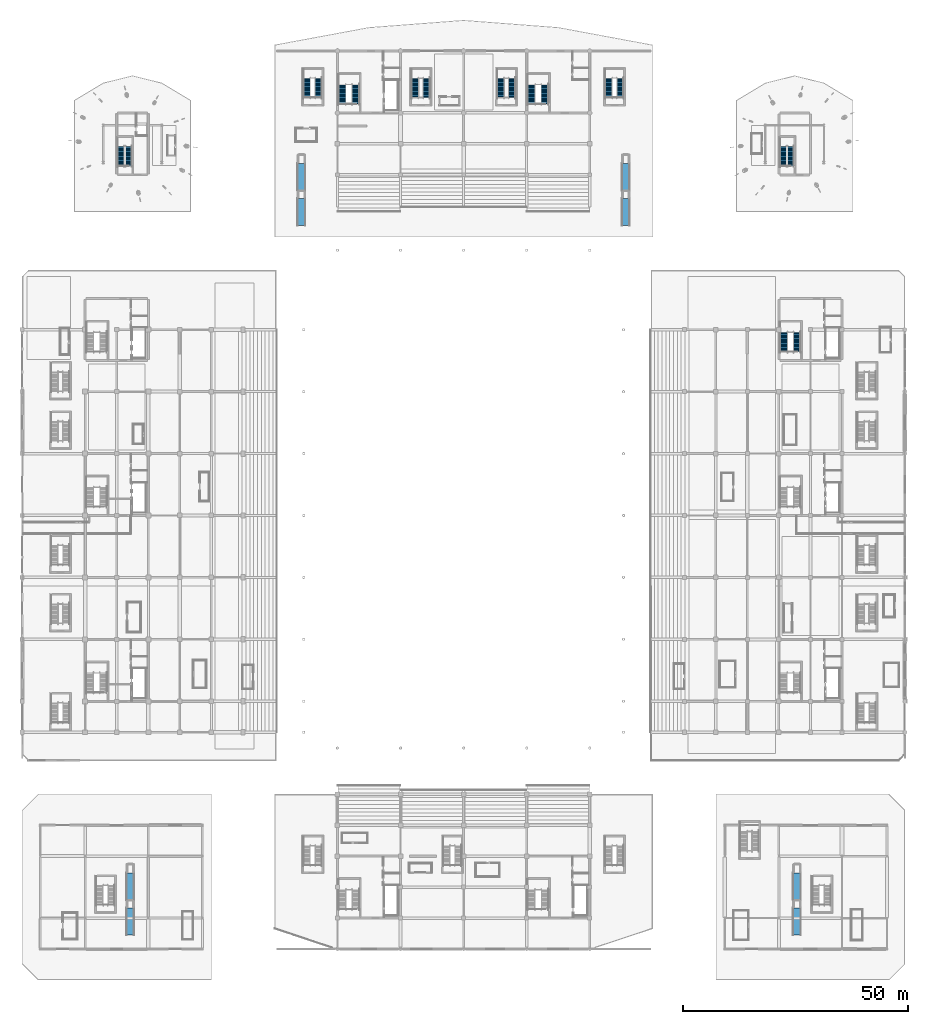
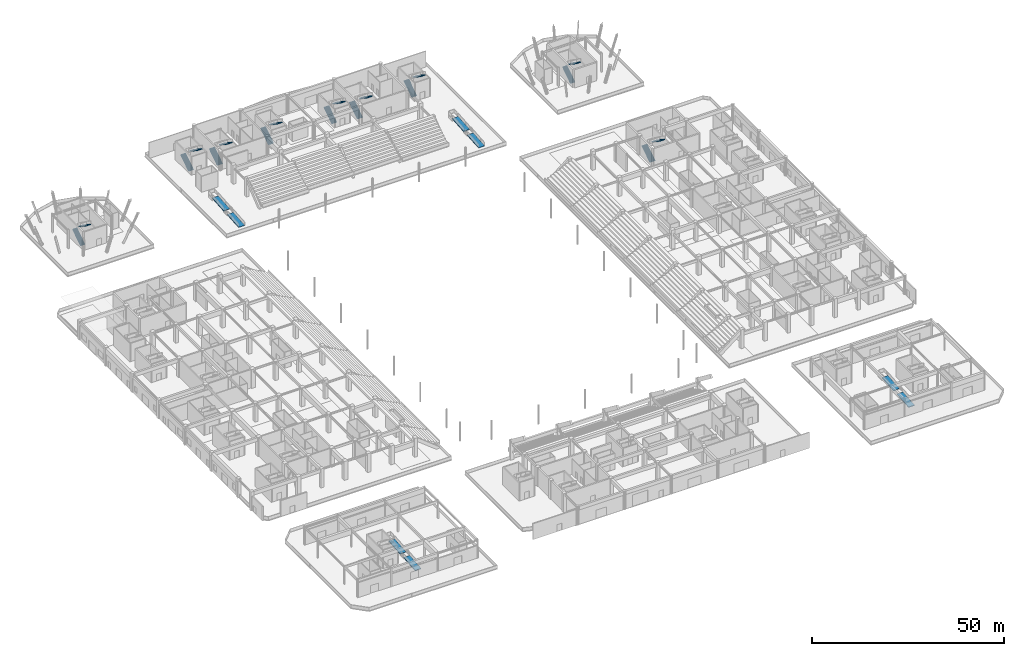
# One storey, part 56 of 73: 18 stair flights, 8 ramp flights, 13 elements without a shape of their own.
"""IFC4 building model written with IfcOpenShell, lengths in metres."""

import ifcopenshell
import ifcopenshell.guid

model = None  # the IFC model being written
_history = None  # IfcOwnerHistory: only IFC2X3 demands one
_inside = {}  # id of a spatial element -> (the spatial element, [elements in it])
_under = {}  # id of a project, library or spatial element -> (it, [spatial elements below it])
_declared = {}  # id of a project -> (the project, [libraries it declares])
_typed = {}  # id of a type object -> (the type object, [elements of that type])
_made_of = {}  # id of a material, layer set ... -> (it, [elements and type objects made of it])


def new_model(schema):
    """Start an empty IFC model of exactly this schema.

    Asked for "IFC4X3", IfcOpenShell would pick the latest addendum, in which some entities
    have other attributes; the version numbers below select the first issue.
    IFC2X3 requires an IfcOwnerHistory on every rooted entity: one is made here for all.
    """
    global model, _history
    if schema == "IFC4X3":
        model = ifcopenshell.file(schema_version=(4, 3, 0, 0))
    else:
        model = ifcopenshell.file(schema=schema)
    _inside.clear()
    _under.clear()
    _declared.clear()
    _typed.clear()
    _made_of.clear()
    _history = None
    if model.schema == "IFC2X3":
        org = make("IfcOrganization", Name="unknown")
        user = make(
            "IfcPersonAndOrganization",
            ThePerson=make("IfcPerson", FamilyName="unknown"),
            TheOrganization=org,
        )
        app = make(
            "IfcApplication",
            ApplicationDeveloper=org,
            Version="unknown",
            ApplicationFullName="unknown",
            ApplicationIdentifier="unknown",
        )
        _history = make(
            "IfcOwnerHistory",
            OwningUser=user,
            OwningApplication=app,
            ChangeAction="ADDED",
            CreationDate=0,
        )
    return model


def make(cls, **values):
    """One entity of the class cls with the attributes given. An attribute that is None is left unset."""
    return model.create_entity(
        cls, **{name: value for name, value in values.items() if value is not None}
    )


def rooted(cls, **values):
    """An entity with a GlobalId (a new one), such as an element, a storey or a relation."""
    return make(cls, GlobalId=ifcopenshell.guid.new(), OwnerHistory=_history, **values)


def si_unit(unit_type, name, prefix=None):
    """IfcSIUnit, for example si_unit("LENGTHUNIT", "METRE", prefix="MILLI")."""
    return make("IfcSIUnit", UnitType=unit_type, Prefix=prefix, Name=name)


def assignment(units):
    """IfcUnitAssignment: the units of a project."""
    return None if units is None else make("IfcUnitAssignment", Units=units)


def point(xyz):
    """IfcCartesianPoint."""
    return None if xyz is None else make("IfcCartesianPoint", Coordinates=xyz)


def direction(xyz):
    """IfcDirection."""
    return None if xyz is None else make("IfcDirection", DirectionRatios=xyz)


def frame(location, z_axis=None, x_axis=None):
    """IfcAxis2Placement3D, a coordinate frame: its origin and axes. An axis left out is left unset."""
    return make(
        "IfcAxis2Placement3D",
        Location=point(location),
        Axis=direction(z_axis),
        RefDirection=direction(x_axis),
    )


def origin():
    """The frame at (0, 0, 0) with its axes left unset."""
    return frame((0.0, 0.0, 0.0))


def place(relative_to, where):
    """IfcLocalPlacement: puts the frame where relative to a parent placement (None: the world)."""
    return make(
        "IfcLocalPlacement", PlacementRelTo=relative_to, RelativePlacement=where
    )


def context(
    kind, dimensions, precision=None, world=None, true_north=None, identifier=None
):
    """IfcGeometricRepresentationContext, for example the 3D "Model" context."""
    return make(
        "IfcGeometricRepresentationContext",
        ContextIdentifier=identifier,
        ContextType=kind,
        CoordinateSpaceDimension=dimensions,
        Precision=precision,
        WorldCoordinateSystem=world,
        TrueNorth=true_north,
    )


def subcontext(parent, identifier, kind, view, scale=None):
    """IfcGeometricRepresentationSubContext, for example "Body" below "Model"."""
    return make(
        "IfcGeometricRepresentationSubContext",
        ContextIdentifier=identifier,
        ContextType=kind,
        ParentContext=parent,
        TargetScale=scale,
        TargetView=view,
    )


def project(units=None, contexts=None):
    """IfcProject with its units and contexts."""
    return rooted(
        "IfcProject",
        Name="project",
        RepresentationContexts=contexts,
        UnitsInContext=assignment(units),
    )


def spatial(cls, under=None, at=None, **own):
    """A site, building, storey or space (cls), placed at a placement, below another one or the project."""
    s = rooted(cls, ObjectPlacement=at, **own)
    if under is not None:
        _under.setdefault(under.id(), (under, []))[1].append(s)
    return s


def polyline(points):
    """IfcPolyline through the points."""
    return make("IfcPolyline", Points=[point(p) for p in points])


def outline(outer, holes=None, kind="AREA"):
    """IfcArbitraryClosedProfileDef: a profile drawn as a closed curve; with holes, ...WithVoids."""
    if holes is None:
        return make("IfcArbitraryClosedProfileDef", ProfileType=kind, OuterCurve=outer)
    return make(
        "IfcArbitraryProfileDefWithVoids",
        ProfileType=kind,
        OuterCurve=outer,
        InnerCurves=holes,
    )


def extrude(swept, where, along, depth):
    """IfcExtrudedAreaSolid: the profile swept, set in the frame where, extruded along a direction by depth."""
    return make(
        "IfcExtrudedAreaSolid",
        SweptArea=swept,
        Position=where,
        ExtrudedDirection=direction(along),
        Depth=depth,
    )


def shape(context_of_items, identifier, shape_type, items):
    """IfcShapeRepresentation: the items that make up one representation, for example the "Body"."""
    return make(
        "IfcShapeRepresentation",
        ContextOfItems=context_of_items,
        RepresentationIdentifier=identifier,
        RepresentationType=shape_type,
        Items=items,
    )


def material(Name=None, Category=None):
    """IfcMaterial."""
    return make("IfcMaterial", Name=Name, Category=Category)


def layer(
    of_material, thickness, ventilated=None, Name=None, Category=None, Priority=None
):
    """IfcMaterialLayer: one layer of a wall or slab, of a material (None: an air gap)."""
    return make(
        "IfcMaterialLayer",
        Material=of_material,
        LayerThickness=thickness,
        IsVentilated=ventilated,
        Name=Name,
        Category=Category,
        Priority=Priority,
    )


def layer_set(layers, Name=None):
    """IfcMaterialLayerSet."""
    return make("IfcMaterialLayerSet", MaterialLayers=layers, LayerSetName=Name)


def made_of(thing, what):
    """Note that an element or type object is made of a material, layer set ...; save() writes the relation."""
    if what is not None:
        _made_of.setdefault(what.id(), (what, []))[1].append(thing)
    return thing


def type_object(cls, material=None, **own):
    """A type object (cls), such as IfcWallType, which elements share."""
    return made_of(rooted(cls, **own), material)


def element(
    cls,
    number,
    at=None,
    inside=None,
    cuts=None,
    type_object=None,
    material=None,
    context=None,
    identifier="Body",
    shape_type=None,
    held_by="IfcProductDefinitionShape",
    body=None,
    shapes=None,
    **own,
):
    """One element of the class cls, such as IfcWall. Its Tag is "e" and its number.

    at: its placement. inside: the storey or other place that contains it. cuts: it is an
    opening in that element (IfcRelVoidsElement). A single representation is given by context,
    identifier, shape_type and body (its items); several are given by shapes. held_by: the class
    of the entity that holds the representations. save() writes the other relations.
    """
    e = rooted(cls, Tag="e%d" % number, ObjectPlacement=at, **own)
    if body is not None:
        shapes = [shape(context, identifier, shape_type, body)]
    if shapes is not None:
        e.Representation = make(held_by, Representations=shapes)
    if inside is not None:
        _inside.setdefault(inside.id(), (inside, []))[1].append(e)
    if cuts is not None:
        rooted(
            "IfcRelVoidsElement", RelatingBuildingElement=cuts, RelatedOpeningElement=e
        )
    if type_object is not None:
        _typed.setdefault(type_object.id(), (type_object, []))[1].append(e)
    return made_of(e, material)


def aggregate(whole, parts):
    """IfcRelAggregates: a whole, such as a stair, and the parts it consists of."""
    return rooted("IfcRelAggregates", RelatingObject=whole, RelatedObjects=parts)


def save(model, path):
    """Write the relations noted so far, then the file.

    IfcRelAggregates (storeys below a building ...), IfcRelContainedInSpatialStructure (elements
    in a storey), IfcRelDefinesByType, IfcRelAssociatesMaterial and IfcRelDeclares: one each for
    every whole, place, type object, material and project.
    """
    for whole, parts in _under.values():
        aggregate(whole, parts)
    for where, things in _inside.values():
        rooted(
            "IfcRelContainedInSpatialStructure",
            RelatedElements=things,
            RelatingStructure=where,
        )
    for kind, things in _typed.values():
        rooted("IfcRelDefinesByType", RelatedObjects=things, RelatingType=kind)
    for what, things in _made_of.values():
        rooted("IfcRelAssociatesMaterial", RelatedObjects=things, RelatingMaterial=what)
    for by, libraries in _declared.values():
        rooted("IfcRelDeclares", RelatingContext=by, RelatedDefinitions=libraries)
    model.write(path)


model = new_model("IFC4")

# Units and contexts
model_context = context("Model", 3, precision=1e-05, world=origin(), true_north=direction((0.0, 1.0)))
body_context = subcontext(model_context, "Body", "Model", "MODEL_VIEW")
ifc_project = project(units=[si_unit("LENGTHUNIT", "METRE"), si_unit("AREAUNIT", "SQUARE_METRE"), si_unit("VOLUMEUNIT", "CUBIC_METRE"), si_unit("PLANEANGLEUNIT", "RADIAN"), si_unit("MASSUNIT", "GRAM", prefix="KILO")], contexts=[model_context])

# Site, building, storey
site_placement = place(None, origin())
site = spatial("IfcSite", under=ifc_project, at=site_placement, CompositionType="ELEMENT")
building_placement = place(site_placement, origin())
building = spatial("IfcBuilding", under=site, at=building_placement, Name="Linyun Crest Stadium", CompositionType="ELEMENT")
storey_placement = place(building_placement, origin())
storey = spatial("IfcBuildingStorey", under=building, at=storey_placement, Name="L01", CompositionType="ELEMENT", Elevation=0.0)

# Stair, stair flights
ifc_material_1 = material(Name="Concrete C40", Category="concrete")
stair_type = type_object("IfcStairType", Name="STA01", PredefinedType="HALF_TURN_STAIR", material=ifc_material_1)
stair_1_placement = place(storey_placement, origin())
stair_1 = element("IfcStair", 1, at=stair_1_placement, inside=storey, type_object=stair_type, Name="Evacuation stair STR-06-L01", PredefinedType="HALF_TURN_STAIR")
ifc_material_2 = material(Name="Concrete C40", Category="concrete")
stair_flight_type_1 = type_object("IfcStairFlightType", Name="STF01", PredefinedType="STRAIGHT", material=ifc_material_2)
stair_flight_1_placement = place(storey_placement, frame((71.090087890625, 38.489990234375, 0.0), z_axis=(0.0, 0.0, 1.0), x_axis=(0.0, 1.0, 0.0)))
stair_flight_1 = element("IfcStairFlight", 2, at=stair_flight_1_placement, type_object=stair_flight_type_1, Name="STR-06-L01 flight 1", NumberOfRisers=18, NumberOfTreads=17, PredefinedType="STRAIGHT", RiserHeight=0.166666667, TreadLength=0.25, context=body_context, shape_type="SweptSolid", body=[
    extrude(outline(polyline([(0.0, 0.0), (0.0, 0.166748046875), (0.25, 0.166748046875), (0.25, 0.333251953125), (0.5, 0.333251953125), (0.5, 0.5), (0.75, 0.5), (0.75, 0.666748046875), (1.0, 0.666748046875), (1.0, 0.833251953125), (1.25, 0.833251953125), (1.25, 1.0), (1.5, 1.0), (1.5, 1.166748046875), (1.75, 1.166748046875), (1.75, 1.333251953125), (2.0, 1.333251953125), (2.0, 1.5), (2.25, 1.5), (2.25, 1.666748046875), (2.5, 1.666748046875), (2.5, 1.833251953125), (2.75, 1.833251953125), (2.75, 2.0), (3.0, 2.0), (3.0, 2.166748046875), (3.25, 2.166748046875), (3.25, 2.333251953125), (3.5, 2.333251953125), (3.5, 2.5), (3.75, 2.5), (3.75, 2.666748046875), (4.0, 2.666748046875), (4.0, 2.833251953125), (4.25, 2.833251953125), (4.25, 3.0), (4.25, 2.6171875), (0.324462890625, 0.0), (0.0, 0.0)])), frame((0.0, 0.824951171875, 0.0), z_axis=(0.0, -1.0, 0.0), x_axis=(1.0, 0.0, 0.0)), (0.0, 0.0, 1.0), 1.64990234375),
])
stair_flight_2_placement = place(storey_placement, frame((74.034912109375, 42.739990234375, 3.0), z_axis=(0.0, 0.0, 1.0), x_axis=(0.0, -1.0, 0.0)))
stair_flight_2 = element("IfcStairFlight", 3, at=stair_flight_2_placement, type_object=stair_flight_type_1, Name="STR-06-L01 flight 2", NumberOfRisers=18, NumberOfTreads=17, PredefinedType="STRAIGHT", RiserHeight=0.166666667, TreadLength=0.25, context=body_context, shape_type="SweptSolid", body=[
    extrude(outline(polyline([(0.0, 0.0), (0.0, 0.166748046875), (0.25, 0.166748046875), (0.25, 0.333251953125), (0.5, 0.333251953125), (0.5, 0.5), (0.75, 0.5), (0.75, 0.666748046875), (1.0, 0.666748046875), (1.0, 0.833251953125), (1.25, 0.833251953125), (1.25, 1.0), (1.5, 1.0), (1.5, 1.166748046875), (1.75, 1.166748046875), (1.75, 1.333251953125), (2.0, 1.333251953125), (2.0, 1.5), (2.25, 1.5), (2.25, 1.666748046875), (2.5, 1.666748046875), (2.5, 1.833251953125), (2.75, 1.833251953125), (2.75, 2.0), (3.0, 2.0), (3.0, 2.166748046875), (3.25, 2.166748046875), (3.25, 2.333251953125), (3.5, 2.333251953125), (3.5, 2.5), (3.75, 2.5), (3.75, 2.666748046875), (4.0, 2.666748046875), (4.0, 2.833251953125), (4.25, 2.833251953125), (4.25, 3.0), (4.25, 2.6171875), (0.324462890625, 0.0), (0.0, 0.0)])), frame((0.0, 0.824951171875, 0.0), z_axis=(0.0, -1.0, 0.0), x_axis=(1.0, 0.0, 0.0)), (0.0, 0.0, 1.0), 1.64990234375),
])
aggregate(stair_1, [stair_flight_1, stair_flight_2])

stair_2_placement = place(storey_placement, origin())
stair_2 = element("IfcStair", 4, at=stair_2_placement, inside=storey, type_object=stair_type, Name="Evacuation stair STR-07-L01", PredefinedType="HALF_TURN_STAIR")
stair_flight_3_placement = place(storey_placement, frame((-26.9599609375, 93.489990234375, 0.0), z_axis=(0.0, 0.0, 1.0), x_axis=(0.0, 1.0, 0.0)))
stair_flight_3 = element("IfcStairFlight", 5, at=stair_flight_3_placement, type_object=stair_flight_type_1, Name="STR-07-L01 flight 1", NumberOfRisers=18, NumberOfTreads=17, PredefinedType="STRAIGHT", RiserHeight=0.166666667, TreadLength=0.25, context=body_context, shape_type="SweptSolid", body=[
    extrude(outline(polyline([(0.0, 0.0), (0.0, 0.166748046875), (0.25, 0.166748046875), (0.25, 0.333251953125), (0.5, 0.333251953125), (0.5, 0.5), (0.75, 0.5), (0.75, 0.666748046875), (1.0, 0.666748046875), (1.0, 0.833251953125), (1.25, 0.833251953125), (1.25, 1.0), (1.5, 1.0), (1.5, 1.166748046875), (1.75, 1.166748046875), (1.75, 1.333251953125), (2.0, 1.333251953125), (2.0, 1.5), (2.25, 1.5), (2.25, 1.666748046875), (2.5, 1.666748046875), (2.5, 1.833251953125), (2.75, 1.833251953125), (2.75, 2.0), (3.0, 2.0), (3.0, 2.166748046875), (3.25, 2.166748046875), (3.25, 2.333251953125), (3.5, 2.333251953125), (3.5, 2.5), (3.75, 2.5), (3.75, 2.666748046875), (4.0, 2.666748046875), (4.0, 2.833251953125), (4.25, 2.833251953125), (4.25, 3.0), (4.25, 2.6171875), (0.324462890625, 0.0), (0.0, 0.0)])), frame((0.0, 0.824951171875, 0.0), z_axis=(0.0, -1.0, 0.0), x_axis=(1.0, 0.0, 0.0)), (0.0, 0.0, 1.0), 1.64990234375),
])
stair_flight_4_placement = place(storey_placement, frame((-23.965087890625, 97.739990234375, 3.0), z_axis=(0.0, 0.0, 1.0), x_axis=(0.0, -1.0, 0.0)))
stair_flight_4 = element("IfcStairFlight", 6, at=stair_flight_4_placement, type_object=stair_flight_type_1, Name="STR-07-L01 flight 2", NumberOfRisers=18, NumberOfTreads=17, PredefinedType="STRAIGHT", RiserHeight=0.166666667, TreadLength=0.25, context=body_context, shape_type="SweptSolid", body=[
    extrude(outline(polyline([(0.0, 0.0), (0.0, 0.166748046875), (0.25, 0.166748046875), (0.25, 0.333251953125), (0.5, 0.333251953125), (0.5, 0.5), (0.75, 0.5), (0.75, 0.666748046875), (1.0, 0.666748046875), (1.0, 0.833251953125), (1.25, 0.833251953125), (1.25, 1.0), (1.5, 1.0), (1.5, 1.166748046875), (1.75, 1.166748046875), (1.75, 1.333251953125), (2.0, 1.333251953125), (2.0, 1.5), (2.25, 1.5), (2.25, 1.666748046875), (2.5, 1.666748046875), (2.5, 1.833251953125), (2.75, 1.833251953125), (2.75, 2.0), (3.0, 2.0), (3.0, 2.166748046875), (3.25, 2.166748046875), (3.25, 2.333251953125), (3.5, 2.333251953125), (3.5, 2.5), (3.75, 2.5), (3.75, 2.666748046875), (4.0, 2.666748046875), (4.0, 2.833251953125), (4.25, 2.833251953125), (4.25, 3.0), (4.25, 2.6171875), (0.324462890625, 0.0), (0.0, 0.0)])), frame((0.0, 0.824951171875, 0.0), z_axis=(0.0, -1.0, 0.0), x_axis=(1.0, 0.0, 0.0)), (0.0, 0.0, 1.0), 1.64990234375),
])
aggregate(stair_2, [stair_flight_3, stair_flight_4])

stair_3_placement = place(storey_placement, origin())
stair_3 = element("IfcStair", 7, at=stair_3_placement, inside=storey, type_object=stair_type, Name="Evacuation stair STR-08-L01", PredefinedType="HALF_TURN_STAIR")
stair_flight_5_placement = place(storey_placement, frame((15.06494140625, 93.489990234375, 0.0), z_axis=(0.0, 0.0, 1.0), x_axis=(0.0, 1.0, 0.0)))
stair_flight_5 = element("IfcStairFlight", 8, at=stair_flight_5_placement, type_object=stair_flight_type_1, Name="STR-08-L01 flight 1", NumberOfRisers=18, NumberOfTreads=17, PredefinedType="STRAIGHT", RiserHeight=0.166666667, TreadLength=0.25, context=body_context, shape_type="SweptSolid", body=[
    extrude(outline(polyline([(0.0, 0.0), (0.0, 0.166748046875), (0.25, 0.166748046875), (0.25, 0.333251953125), (0.5, 0.333251953125), (0.5, 0.5), (0.75, 0.5), (0.75, 0.666748046875), (1.0, 0.666748046875), (1.0, 0.833251953125), (1.25, 0.833251953125), (1.25, 1.0), (1.5, 1.0), (1.5, 1.166748046875), (1.75, 1.166748046875), (1.75, 1.333251953125), (2.0, 1.333251953125), (2.0, 1.5), (2.25, 1.5), (2.25, 1.666748046875), (2.5, 1.666748046875), (2.5, 1.833251953125), (2.75, 1.833251953125), (2.75, 2.0), (3.0, 2.0), (3.0, 2.166748046875), (3.25, 2.166748046875), (3.25, 2.333251953125), (3.5, 2.333251953125), (3.5, 2.5), (3.75, 2.5), (3.75, 2.666748046875), (4.0, 2.666748046875), (4.0, 2.833251953125), (4.25, 2.833251953125), (4.25, 3.0), (4.25, 2.6171875), (0.324462890625, 0.0), (0.0, 0.0)])), frame((0.0, 0.824951171875, 0.0), z_axis=(0.0, -1.0, 0.0), x_axis=(1.0, 0.0, 0.0)), (0.0, 0.0, 1.0), 1.64990234375),
])
stair_flight_6_placement = place(storey_placement, frame((18.034912109375, 97.739990234375, 3.0), z_axis=(0.0, 0.0, 1.0), x_axis=(0.0, -1.0, 0.0)))
stair_flight_6 = element("IfcStairFlight", 9, at=stair_flight_6_placement, type_object=stair_flight_type_1, Name="STR-08-L01 flight 2", NumberOfRisers=18, NumberOfTreads=17, PredefinedType="STRAIGHT", RiserHeight=0.166666667, TreadLength=0.25, context=body_context, shape_type="SweptSolid", body=[
    extrude(outline(polyline([(0.0, 0.0), (0.0, 0.166748046875), (0.25, 0.166748046875), (0.25, 0.333251953125), (0.5, 0.333251953125), (0.5, 0.5), (0.75, 0.5), (0.75, 0.666748046875), (1.0, 0.666748046875), (1.0, 0.833251953125), (1.25, 0.833251953125), (1.25, 1.0), (1.5, 1.0), (1.5, 1.166748046875), (1.75, 1.166748046875), (1.75, 1.333251953125), (2.0, 1.333251953125), (2.0, 1.5), (2.25, 1.5), (2.25, 1.666748046875), (2.5, 1.666748046875), (2.5, 1.833251953125), (2.75, 1.833251953125), (2.75, 2.0), (3.0, 2.0), (3.0, 2.166748046875), (3.25, 2.166748046875), (3.25, 2.333251953125), (3.5, 2.333251953125), (3.5, 2.5), (3.75, 2.5), (3.75, 2.666748046875), (4.0, 2.666748046875), (4.0, 2.833251953125), (4.25, 2.833251953125), (4.25, 3.0), (4.25, 2.6171875), (0.324462890625, 0.0), (0.0, 0.0)])), frame((0.0, 0.824951171875, 0.0), z_axis=(0.0, -1.0, 0.0), x_axis=(1.0, 0.0, 0.0)), (0.0, 0.0, 1.0), 1.64990234375),
])
aggregate(stair_3, [stair_flight_5, stair_flight_6])

stair_4_placement = place(storey_placement, origin())
stair_4 = element("IfcStair", 10, at=stair_4_placement, inside=storey, type_object=stair_type, Name="Vomitory evacuation stair STR-23-L01", PredefinedType="HALF_TURN_STAIR")
ifc_material_3 = material(Name="Concrete C40", Category="concrete")
stair_flight_type_2 = type_object("IfcStairFlightType", Name="STF02", PredefinedType="STRAIGHT", material=ifc_material_3)
stair_flight_7_placement = place(storey_placement, frame((-34.784912109375, 94.919921875, 0.0), z_axis=(0.0, 0.0, 1.0), x_axis=(0.0, 1.0, 0.0)))
stair_flight_7 = element("IfcStairFlight", 11, at=stair_flight_7_placement, type_object=stair_flight_type_2, Name="STR-23-L01 flight 1", NumberOfRisers=18, NumberOfTreads=17, PredefinedType="STRAIGHT", RiserHeight=0.166666667, TreadLength=0.25, context=body_context, shape_type="SweptSolid", body=[
    extrude(outline(polyline([(0.0, 0.0), (0.0, 0.166748046875), (0.25, 0.166748046875), (0.25, 0.333251953125), (0.5, 0.333251953125), (0.5, 0.5), (0.75, 0.5), (0.75, 0.666748046875), (1.0, 0.666748046875), (1.0, 0.833251953125), (1.25, 0.833251953125), (1.25, 1.0), (1.5, 1.0), (1.5, 1.166748046875), (1.75, 1.166748046875), (1.75, 1.333251953125), (2.0, 1.333251953125), (2.0, 1.5), (2.25, 1.5), (2.25, 1.666748046875), (2.5, 1.666748046875), (2.5, 1.833251953125), (2.75, 1.833251953125), (2.75, 2.0), (3.0, 2.0), (3.0, 2.166748046875), (3.25, 2.166748046875), (3.25, 2.333251953125), (3.5, 2.333251953125), (3.5, 2.5), (3.75, 2.5), (3.75, 2.666748046875), (4.0, 2.666748046875), (4.0, 2.833251953125), (4.25, 2.833251953125), (4.25, 3.0), (4.25, 2.6171875), (0.324462890625, 0.0), (0.0, 0.0)])), frame((0.0, 0.77490234375, 0.0), z_axis=(0.0, -1.0, 0.0), x_axis=(1.0, 0.0, 0.0)), (0.0, 0.0, 1.0), 1.550048828125),
])
stair_flight_8_placement = place(storey_placement, frame((-32.215087890625, 99.169921875, 3.0), z_axis=(0.0, 0.0, 1.0), x_axis=(0.0, -1.0, 0.0)))
stair_flight_8 = element("IfcStairFlight", 12, at=stair_flight_8_placement, type_object=stair_flight_type_2, Name="STR-23-L01 flight 2", NumberOfRisers=18, NumberOfTreads=17, PredefinedType="STRAIGHT", RiserHeight=0.166666667, TreadLength=0.25, context=body_context, shape_type="SweptSolid", body=[
    extrude(outline(polyline([(0.0, 0.0), (0.0, 0.166748046875), (0.25, 0.166748046875), (0.25, 0.333251953125), (0.5, 0.333251953125), (0.5, 0.5), (0.75, 0.5), (0.75, 0.666748046875), (1.0, 0.666748046875), (1.0, 0.833251953125), (1.25, 0.833251953125), (1.25, 1.0), (1.5, 1.0), (1.5, 1.166748046875), (1.75, 1.166748046875), (1.75, 1.333251953125), (2.0, 1.333251953125), (2.0, 1.5), (2.25, 1.5), (2.25, 1.666748046875), (2.5, 1.666748046875), (2.5, 1.833251953125), (2.75, 1.833251953125), (2.75, 2.0), (3.0, 2.0), (3.0, 2.166748046875), (3.25, 2.166748046875), (3.25, 2.333251953125), (3.5, 2.333251953125), (3.5, 2.5), (3.75, 2.5), (3.75, 2.666748046875), (4.0, 2.666748046875), (4.0, 2.833251953125), (4.25, 2.833251953125), (4.25, 3.0), (4.25, 2.6171875), (0.324462890625, 0.0), (0.0, 0.0)])), frame((0.0, 0.77490234375, 0.0), z_axis=(0.0, -1.0, 0.0), x_axis=(1.0, 0.0, 0.0)), (0.0, 0.0, 1.0), 1.550048828125),
])
aggregate(stair_4, [stair_flight_7, stair_flight_8])

stair_5_placement = place(storey_placement, origin())
stair_5 = element("IfcStair", 13, at=stair_5_placement, inside=storey, type_object=stair_type, Name="Vomitory evacuation stair STR-24-L01", PredefinedType="HALF_TURN_STAIR")
stair_flight_9_placement = place(storey_placement, frame((-10.784912109375, 94.919921875, 0.0), z_axis=(0.0, 0.0, 1.0), x_axis=(0.0, 1.0, 0.0)))
stair_flight_9 = element("IfcStairFlight", 14, at=stair_flight_9_placement, type_object=stair_flight_type_2, Name="STR-24-L01 flight 1", NumberOfRisers=18, NumberOfTreads=17, PredefinedType="STRAIGHT", RiserHeight=0.166666667, TreadLength=0.25, context=body_context, shape_type="SweptSolid", body=[
    extrude(outline(polyline([(0.0, 0.0), (0.0, 0.166748046875), (0.25, 0.166748046875), (0.25, 0.333251953125), (0.5, 0.333251953125), (0.5, 0.5), (0.75, 0.5), (0.75, 0.666748046875), (1.0, 0.666748046875), (1.0, 0.833251953125), (1.25, 0.833251953125), (1.25, 1.0), (1.5, 1.0), (1.5, 1.166748046875), (1.75, 1.166748046875), (1.75, 1.333251953125), (2.0, 1.333251953125), (2.0, 1.5), (2.25, 1.5), (2.25, 1.666748046875), (2.5, 1.666748046875), (2.5, 1.833251953125), (2.75, 1.833251953125), (2.75, 2.0), (3.0, 2.0), (3.0, 2.166748046875), (3.25, 2.166748046875), (3.25, 2.333251953125), (3.5, 2.333251953125), (3.5, 2.5), (3.75, 2.5), (3.75, 2.666748046875), (4.0, 2.666748046875), (4.0, 2.833251953125), (4.25, 2.833251953125), (4.25, 3.0), (4.25, 2.6171875), (0.324462890625, 0.0), (0.0, 0.0)])), frame((0.0, 0.77490234375, 0.0), z_axis=(0.0, -1.0, 0.0), x_axis=(1.0, 0.0, 0.0)), (0.0, 0.0, 1.0), 1.550048828125),
])
stair_flight_10_placement = place(storey_placement, frame((-8.215087890625, 99.169921875, 3.0), z_axis=(0.0, 0.0, 1.0), x_axis=(0.0, -1.0, 0.0)))
stair_flight_10 = element("IfcStairFlight", 15, at=stair_flight_10_placement, type_object=stair_flight_type_2, Name="STR-24-L01 flight 2", NumberOfRisers=18, NumberOfTreads=17, PredefinedType="STRAIGHT", RiserHeight=0.166666667, TreadLength=0.25, context=body_context, shape_type="SweptSolid", body=[
    extrude(outline(polyline([(0.0, 0.0), (0.0, 0.166748046875), (0.25, 0.166748046875), (0.25, 0.333251953125), (0.5, 0.333251953125), (0.5, 0.5), (0.75, 0.5), (0.75, 0.666748046875), (1.0, 0.666748046875), (1.0, 0.833251953125), (1.25, 0.833251953125), (1.25, 1.0), (1.5, 1.0), (1.5, 1.166748046875), (1.75, 1.166748046875), (1.75, 1.333251953125), (2.0, 1.333251953125), (2.0, 1.5), (2.25, 1.5), (2.25, 1.666748046875), (2.5, 1.666748046875), (2.5, 1.833251953125), (2.75, 1.833251953125), (2.75, 2.0), (3.0, 2.0), (3.0, 2.166748046875), (3.25, 2.166748046875), (3.25, 2.333251953125), (3.5, 2.333251953125), (3.5, 2.5), (3.75, 2.5), (3.75, 2.666748046875), (4.0, 2.666748046875), (4.0, 2.833251953125), (4.25, 2.833251953125), (4.25, 3.0), (4.25, 2.6171875), (0.324462890625, 0.0), (0.0, 0.0)])), frame((0.0, 0.77490234375, 0.0), z_axis=(0.0, -1.0, 0.0), x_axis=(1.0, 0.0, 0.0)), (0.0, 0.0, 1.0), 1.550048828125),
])
aggregate(stair_5, [stair_flight_9, stair_flight_10])

stair_6_placement = place(storey_placement, origin())
stair_6 = element("IfcStair", 16, at=stair_6_placement, inside=storey, type_object=stair_type, Name="Vomitory evacuation stair STR-25-L01", PredefinedType="HALF_TURN_STAIR")
stair_flight_11_placement = place(storey_placement, frame((8.215087890625, 94.919921875, 0.0), z_axis=(0.0, 0.0, 1.0), x_axis=(0.0, 1.0, 0.0)))
stair_flight_11 = element("IfcStairFlight", 17, at=stair_flight_11_placement, type_object=stair_flight_type_2, Name="STR-25-L01 flight 1", NumberOfRisers=18, NumberOfTreads=17, PredefinedType="STRAIGHT", RiserHeight=0.166666667, TreadLength=0.25, context=body_context, shape_type="SweptSolid", body=[
    extrude(outline(polyline([(0.0, 0.0), (0.0, 0.166748046875), (0.25, 0.166748046875), (0.25, 0.333251953125), (0.5, 0.333251953125), (0.5, 0.5), (0.75, 0.5), (0.75, 0.666748046875), (1.0, 0.666748046875), (1.0, 0.833251953125), (1.25, 0.833251953125), (1.25, 1.0), (1.5, 1.0), (1.5, 1.166748046875), (1.75, 1.166748046875), (1.75, 1.333251953125), (2.0, 1.333251953125), (2.0, 1.5), (2.25, 1.5), (2.25, 1.666748046875), (2.5, 1.666748046875), (2.5, 1.833251953125), (2.75, 1.833251953125), (2.75, 2.0), (3.0, 2.0), (3.0, 2.166748046875), (3.25, 2.166748046875), (3.25, 2.333251953125), (3.5, 2.333251953125), (3.5, 2.5), (3.75, 2.5), (3.75, 2.666748046875), (4.0, 2.666748046875), (4.0, 2.833251953125), (4.25, 2.833251953125), (4.25, 3.0), (4.25, 2.6171875), (0.324462890625, 0.0), (0.0, 0.0)])), frame((0.0, 0.77490234375, 0.0), z_axis=(0.0, -1.0, 0.0), x_axis=(1.0, 0.0, 0.0)), (0.0, 0.0, 1.0), 1.550048828125),
])
stair_flight_12_placement = place(storey_placement, frame((10.784912109375, 99.169921875, 3.0), z_axis=(0.0, 0.0, 1.0), x_axis=(0.0, -1.0, 0.0)))
stair_flight_12 = element("IfcStairFlight", 18, at=stair_flight_12_placement, type_object=stair_flight_type_2, Name="STR-25-L01 flight 2", NumberOfRisers=18, NumberOfTreads=17, PredefinedType="STRAIGHT", RiserHeight=0.166666667, TreadLength=0.25, context=body_context, shape_type="SweptSolid", body=[
    extrude(outline(polyline([(0.0, 0.0), (0.0, 0.166748046875), (0.25, 0.166748046875), (0.25, 0.333251953125), (0.5, 0.333251953125), (0.5, 0.5), (0.75, 0.5), (0.75, 0.666748046875), (1.0, 0.666748046875), (1.0, 0.833251953125), (1.25, 0.833251953125), (1.25, 1.0), (1.5, 1.0), (1.5, 1.166748046875), (1.75, 1.166748046875), (1.75, 1.333251953125), (2.0, 1.333251953125), (2.0, 1.5), (2.25, 1.5), (2.25, 1.666748046875), (2.5, 1.666748046875), (2.5, 1.833251953125), (2.75, 1.833251953125), (2.75, 2.0), (3.0, 2.0), (3.0, 2.166748046875), (3.25, 2.166748046875), (3.25, 2.333251953125), (3.5, 2.333251953125), (3.5, 2.5), (3.75, 2.5), (3.75, 2.666748046875), (4.0, 2.666748046875), (4.0, 2.833251953125), (4.25, 2.833251953125), (4.25, 3.0), (4.25, 2.6171875), (0.324462890625, 0.0), (0.0, 0.0)])), frame((0.0, 0.77490234375, 0.0), z_axis=(0.0, -1.0, 0.0), x_axis=(1.0, 0.0, 0.0)), (0.0, 0.0, 1.0), 1.550048828125),
])
aggregate(stair_6, [stair_flight_11, stair_flight_12])

stair_7_placement = place(storey_placement, origin())
stair_7 = element("IfcStair", 19, at=stair_7_placement, inside=storey, type_object=stair_type, Name="Vomitory evacuation stair STR-26-L01", PredefinedType="HALF_TURN_STAIR")
stair_flight_13_placement = place(storey_placement, frame((32.215087890625, 94.919921875, 0.0), z_axis=(0.0, 0.0, 1.0), x_axis=(0.0, 1.0, 0.0)))
stair_flight_13 = element("IfcStairFlight", 20, at=stair_flight_13_placement, type_object=stair_flight_type_2, Name="STR-26-L01 flight 1", NumberOfRisers=18, NumberOfTreads=17, PredefinedType="STRAIGHT", RiserHeight=0.166666667, TreadLength=0.25, context=body_context, shape_type="SweptSolid", body=[
    extrude(outline(polyline([(0.0, 0.0), (0.0, 0.166748046875), (0.25, 0.166748046875), (0.25, 0.333251953125), (0.5, 0.333251953125), (0.5, 0.5), (0.75, 0.5), (0.75, 0.666748046875), (1.0, 0.666748046875), (1.0, 0.833251953125), (1.25, 0.833251953125), (1.25, 1.0), (1.5, 1.0), (1.5, 1.166748046875), (1.75, 1.166748046875), (1.75, 1.333251953125), (2.0, 1.333251953125), (2.0, 1.5), (2.25, 1.5), (2.25, 1.666748046875), (2.5, 1.666748046875), (2.5, 1.833251953125), (2.75, 1.833251953125), (2.75, 2.0), (3.0, 2.0), (3.0, 2.166748046875), (3.25, 2.166748046875), (3.25, 2.333251953125), (3.5, 2.333251953125), (3.5, 2.5), (3.75, 2.5), (3.75, 2.666748046875), (4.0, 2.666748046875), (4.0, 2.833251953125), (4.25, 2.833251953125), (4.25, 3.0), (4.25, 2.6171875), (0.324462890625, 0.0), (0.0, 0.0)])), frame((0.0, 0.77490234375, 0.0), z_axis=(0.0, -1.0, 0.0), x_axis=(1.0, 0.0, 0.0)), (0.0, 0.0, 1.0), 1.550048828125),
])
stair_flight_14_placement = place(storey_placement, frame((34.784912109375, 99.169921875, 3.0), z_axis=(0.0, 0.0, 1.0), x_axis=(0.0, -1.0, 0.0)))
stair_flight_14 = element("IfcStairFlight", 21, at=stair_flight_14_placement, type_object=stair_flight_type_2, Name="STR-26-L01 flight 2", NumberOfRisers=18, NumberOfTreads=17, PredefinedType="STRAIGHT", RiserHeight=0.166666667, TreadLength=0.25, context=body_context, shape_type="SweptSolid", body=[
    extrude(outline(polyline([(0.0, 0.0), (0.0, 0.166748046875), (0.25, 0.166748046875), (0.25, 0.333251953125), (0.5, 0.333251953125), (0.5, 0.5), (0.75, 0.5), (0.75, 0.666748046875), (1.0, 0.666748046875), (1.0, 0.833251953125), (1.25, 0.833251953125), (1.25, 1.0), (1.5, 1.0), (1.5, 1.166748046875), (1.75, 1.166748046875), (1.75, 1.333251953125), (2.0, 1.333251953125), (2.0, 1.5), (2.25, 1.5), (2.25, 1.666748046875), (2.5, 1.666748046875), (2.5, 1.833251953125), (2.75, 1.833251953125), (2.75, 2.0), (3.0, 2.0), (3.0, 2.166748046875), (3.25, 2.166748046875), (3.25, 2.333251953125), (3.5, 2.333251953125), (3.5, 2.5), (3.75, 2.5), (3.75, 2.666748046875), (4.0, 2.666748046875), (4.0, 2.833251953125), (4.25, 2.833251953125), (4.25, 3.0), (4.25, 2.6171875), (0.324462890625, 0.0), (0.0, 0.0)])), frame((0.0, 0.77490234375, 0.0), z_axis=(0.0, -1.0, 0.0), x_axis=(1.0, 0.0, 0.0)), (0.0, 0.0, 1.0), 1.550048828125),
])
aggregate(stair_7, [stair_flight_13, stair_flight_14])

stair_8_placement = place(storey_placement, origin())
stair_8 = element("IfcStair", 22, at=stair_8_placement, inside=storey, type_object=stair_type, Name="Evacuation stair STR-11-L01", PredefinedType="HALF_TURN_STAIR")
ifc_material_4 = material(Name="Concrete C40", Category="concrete")
stair_flight_type_3 = type_object("IfcStairFlightType", Name="STF03", PredefinedType="STRAIGHT", material=ifc_material_4)
stair_flight_15_placement = place(storey_placement, frame((-76.06005859375, 79.739990234375, 0.0), z_axis=(0.0, 0.0, 1.0), x_axis=(0.0, 1.0, 0.0)))
stair_flight_15 = element("IfcStairFlight", 23, at=stair_flight_15_placement, type_object=stair_flight_type_3, Name="STR-11-L01 flight 1", NumberOfRisers=18, NumberOfTreads=17, PredefinedType="STRAIGHT", RiserHeight=0.166666667, TreadLength=0.25, context=body_context, shape_type="SweptSolid", body=[
    extrude(outline(polyline([(0.0, 0.0), (0.0, 0.166748046875), (0.25, 0.166748046875), (0.25, 0.333251953125), (0.5, 0.333251953125), (0.5, 0.5), (0.75, 0.5), (0.75, 0.666748046875), (1.0, 0.666748046875), (1.0, 0.833251953125), (1.25, 0.833251953125), (1.25, 1.0), (1.5, 1.0), (1.5, 1.166748046875), (1.75, 1.166748046875), (1.75, 1.333251953125), (2.0, 1.333251953125), (2.0, 1.5), (2.25, 1.5), (2.25, 1.666748046875), (2.5, 1.666748046875), (2.5, 1.833251953125), (2.75, 1.833251953125), (2.75, 2.0), (3.0, 2.0), (3.0, 2.166748046875), (3.25, 2.166748046875), (3.25, 2.333251953125), (3.5, 2.333251953125), (3.5, 2.5), (3.75, 2.5), (3.75, 2.666748046875), (4.0, 2.666748046875), (4.0, 2.833251953125), (4.25, 2.833251953125), (4.25, 3.0), (4.25, 2.629150390625), (0.306396484375, 0.0), (0.0, 0.0)])), frame((0.0, 0.699951171875, 0.0), z_axis=(0.0, -1.0, 0.0), x_axis=(1.0, 0.0, 0.0)), (0.0, 0.0, 1.0), 1.39990234375),
])
stair_flight_16_placement = place(storey_placement, frame((-74.340087890625, 83.989990234375, 3.0), z_axis=(0.0, 0.0, 1.0), x_axis=(0.0, -1.0, 0.0)))
stair_flight_16 = element("IfcStairFlight", 24, at=stair_flight_16_placement, type_object=stair_flight_type_3, Name="STR-11-L01 flight 2", NumberOfRisers=18, NumberOfTreads=17, PredefinedType="STRAIGHT", RiserHeight=0.166666667, TreadLength=0.25, context=body_context, shape_type="SweptSolid", body=[
    extrude(outline(polyline([(0.0, 0.0), (0.0, 0.166748046875), (0.25, 0.166748046875), (0.25, 0.333251953125), (0.5, 0.333251953125), (0.5, 0.5), (0.75, 0.5), (0.75, 0.666748046875), (1.0, 0.666748046875), (1.0, 0.833251953125), (1.25, 0.833251953125), (1.25, 1.0), (1.5, 1.0), (1.5, 1.166748046875), (1.75, 1.166748046875), (1.75, 1.333251953125), (2.0, 1.333251953125), (2.0, 1.5), (2.25, 1.5), (2.25, 1.666748046875), (2.5, 1.666748046875), (2.5, 1.833251953125), (2.75, 1.833251953125), (2.75, 2.0), (3.0, 2.0), (3.0, 2.166748046875), (3.25, 2.166748046875), (3.25, 2.333251953125), (3.5, 2.333251953125), (3.5, 2.5), (3.75, 2.5), (3.75, 2.666748046875), (4.0, 2.666748046875), (4.0, 2.833251953125), (4.25, 2.833251953125), (4.25, 3.0), (4.25, 2.629150390625), (0.306396484375, 0.0), (0.0, 0.0)])), frame((0.0, 0.699951171875, 0.0), z_axis=(0.0, -1.0, 0.0), x_axis=(1.0, 0.0, 0.0)), (0.0, 0.0, 1.0), 1.39990234375),
])
aggregate(stair_8, [stair_flight_15, stair_flight_16])

stair_9_placement = place(storey_placement, origin())
stair_9 = element("IfcStair", 25, at=stair_9_placement, inside=storey, type_object=stair_type, Name="Evacuation stair STR-12-L01", PredefinedType="HALF_TURN_STAIR")
stair_flight_17_placement = place(storey_placement, frame((70.965087890625, 79.739990234375, 0.0), z_axis=(0.0, 0.0, 1.0), x_axis=(0.0, 1.0, 0.0)))
stair_flight_17 = element("IfcStairFlight", 26, at=stair_flight_17_placement, type_object=stair_flight_type_3, Name="STR-12-L01 flight 1", NumberOfRisers=18, NumberOfTreads=17, PredefinedType="STRAIGHT", RiserHeight=0.166666667, TreadLength=0.25, context=body_context, shape_type="SweptSolid", body=[
    extrude(outline(polyline([(0.0, 0.0), (0.0, 0.166748046875), (0.25, 0.166748046875), (0.25, 0.333251953125), (0.5, 0.333251953125), (0.5, 0.5), (0.75, 0.5), (0.75, 0.666748046875), (1.0, 0.666748046875), (1.0, 0.833251953125), (1.25, 0.833251953125), (1.25, 1.0), (1.5, 1.0), (1.5, 1.166748046875), (1.75, 1.166748046875), (1.75, 1.333251953125), (2.0, 1.333251953125), (2.0, 1.5), (2.25, 1.5), (2.25, 1.666748046875), (2.5, 1.666748046875), (2.5, 1.833251953125), (2.75, 1.833251953125), (2.75, 2.0), (3.0, 2.0), (3.0, 2.166748046875), (3.25, 2.166748046875), (3.25, 2.333251953125), (3.5, 2.333251953125), (3.5, 2.5), (3.75, 2.5), (3.75, 2.666748046875), (4.0, 2.666748046875), (4.0, 2.833251953125), (4.25, 2.833251953125), (4.25, 3.0), (4.25, 2.629150390625), (0.306396484375, 0.0), (0.0, 0.0)])), frame((0.0, 0.699951171875, 0.0), z_axis=(0.0, -1.0, 0.0), x_axis=(1.0, 0.0, 0.0)), (0.0, 0.0, 1.0), 1.39990234375),
])
stair_flight_18_placement = place(storey_placement, frame((72.659912109375, 83.989990234375, 3.0), z_axis=(0.0, 0.0, 1.0), x_axis=(0.0, -1.0, 0.0)))
stair_flight_18 = element("IfcStairFlight", 27, at=stair_flight_18_placement, type_object=stair_flight_type_3, Name="STR-12-L01 flight 2", NumberOfRisers=18, NumberOfTreads=17, PredefinedType="STRAIGHT", RiserHeight=0.166666667, TreadLength=0.25, context=body_context, shape_type="SweptSolid", body=[
    extrude(outline(polyline([(0.0, 0.0), (0.0, 0.166748046875), (0.25, 0.166748046875), (0.25, 0.333251953125), (0.5, 0.333251953125), (0.5, 0.5), (0.75, 0.5), (0.75, 0.666748046875), (1.0, 0.666748046875), (1.0, 0.833251953125), (1.25, 0.833251953125), (1.25, 1.0), (1.5, 1.0), (1.5, 1.166748046875), (1.75, 1.166748046875), (1.75, 1.333251953125), (2.0, 1.333251953125), (2.0, 1.5), (2.25, 1.5), (2.25, 1.666748046875), (2.5, 1.666748046875), (2.5, 1.833251953125), (2.75, 1.833251953125), (2.75, 2.0), (3.0, 2.0), (3.0, 2.166748046875), (3.25, 2.166748046875), (3.25, 2.333251953125), (3.5, 2.333251953125), (3.5, 2.5), (3.75, 2.5), (3.75, 2.666748046875), (4.0, 2.666748046875), (4.0, 2.833251953125), (4.25, 2.833251953125), (4.25, 3.0), (4.25, 2.629150390625), (0.306396484375, 0.0), (0.0, 0.0)])), frame((0.0, 0.699951171875, 0.0), z_axis=(0.0, -1.0, 0.0), x_axis=(1.0, 0.0, 0.0)), (0.0, 0.0, 1.0), 1.39990234375),
])
aggregate(stair_9, [stair_flight_17, stair_flight_18])

# Ramp, ramp flights
ifc_material_5 = material(Name="Concrete C40", Category="concrete")
ramp_type = type_object("IfcRampType", Name="RMP01", PredefinedType="HALF_TURN_RAMP", material=ifc_material_5)
ramp_1_placement = place(storey_placement, origin())
ramp_1 = element("IfcRamp", 28, at=ramp_1_placement, inside=storey, type_object=ramp_type, Name="Accessible pedestrian ramp RMP-05", PredefinedType="HALF_TURN_RAMP")
ifc_material_6 = material(Name="Concrete C40", Category="concrete")
ifc_layer = layer(ifc_material_6, 0.219970703125)
ifc_layer_set = layer_set([ifc_layer], Name="Concrete C40")
ramp_flight_type = type_object("IfcRampFlightType", Name="RMF01", PredefinedType="STRAIGHT", material=ifc_layer_set)
ramp_flight_1_placement = place(storey_placement, frame((-74.0, -91.0, 0.0), z_axis=(0.0, 0.0, 1.0), x_axis=(0.0, 1.0, 0.0)))
ramp_flight_1 = element("IfcRampFlight", 29, at=ramp_flight_1_placement, type_object=ramp_flight_type, Name="RMP-05 flight 1", PredefinedType="STRAIGHT", context=body_context, shape_type="SweptSolid", body=[
    extrude(outline(polyline([(0.0, 0.0), (6.0, 0.5), (6.0, 0.280029296875), (0.0, -0.219970703125), (0.0, 0.0)])), frame((0.0, 0.89990234375, 0.0), z_axis=(0.0, -1.0, 0.0), x_axis=(1.0, 0.0, 0.0)), (0.0, 0.0, 1.0), 1.800048828125),
])
ramp_flight_2_placement = place(storey_placement, frame((-74.0, -83.199951171875, 0.5), z_axis=(0.0, 0.0, 1.0), x_axis=(0.0, 1.0, 0.0)))
ramp_flight_2 = element("IfcRampFlight", 30, at=ramp_flight_2_placement, type_object=ramp_flight_type, Name="RMP-05 flight 2", PredefinedType="STRAIGHT", context=body_context, shape_type="SweptSolid", body=[
    extrude(outline(polyline([(0.0, 0.0), (6.0, 0.5), (6.0, 0.280029296875), (0.0, -0.219970703125), (0.0, 0.0)])), frame((0.0, 0.89990234375, 0.0), z_axis=(0.0, -1.0, 0.0), x_axis=(1.0, 0.0, 0.0)), (0.0, 0.0, 1.0), 1.800048828125),
])
aggregate(ramp_1, [ramp_flight_1, ramp_flight_2])

ramp_2_placement = place(storey_placement, origin())
ramp_2 = element("IfcRamp", 31, at=ramp_2_placement, inside=storey, type_object=ramp_type, Name="Accessible pedestrian ramp RMP-06", PredefinedType="HALF_TURN_RAMP")
ramp_flight_3_placement = place(storey_placement, frame((74.0, -91.0, 0.0), z_axis=(0.0, 0.0, 1.0), x_axis=(0.0, 1.0, 0.0)))
ramp_flight_3 = element("IfcRampFlight", 32, at=ramp_flight_3_placement, type_object=ramp_flight_type, Name="RMP-06 flight 1", PredefinedType="STRAIGHT", context=body_context, shape_type="SweptSolid", body=[
    extrude(outline(polyline([(0.0, 0.0), (6.0, 0.5), (6.0, 0.280029296875), (0.0, -0.219970703125), (0.0, 0.0)])), frame((0.0, 0.89990234375, 0.0), z_axis=(0.0, -1.0, 0.0), x_axis=(1.0, 0.0, 0.0)), (0.0, 0.0, 1.0), 1.800048828125),
])
ramp_flight_4_placement = place(storey_placement, frame((74.0, -83.199951171875, 0.5), z_axis=(0.0, 0.0, 1.0), x_axis=(0.0, 1.0, 0.0)))
ramp_flight_4 = element("IfcRampFlight", 33, at=ramp_flight_4_placement, type_object=ramp_flight_type, Name="RMP-06 flight 2", PredefinedType="STRAIGHT", context=body_context, shape_type="SweptSolid", body=[
    extrude(outline(polyline([(0.0, 0.0), (6.0, 0.5), (6.0, 0.280029296875), (0.0, -0.219970703125), (0.0, 0.0)])), frame((0.0, 0.89990234375, 0.0), z_axis=(0.0, -1.0, 0.0), x_axis=(1.0, 0.0, 0.0)), (0.0, 0.0, 1.0), 1.800048828125),
])
aggregate(ramp_2, [ramp_flight_3, ramp_flight_4])

ramp_3_placement = place(storey_placement, origin())
ramp_3 = element("IfcRamp", 34, at=ramp_3_placement, inside=storey, type_object=ramp_type, Name="Accessible pedestrian ramp RMP-07", PredefinedType="HALF_TURN_RAMP")
ramp_flight_5_placement = place(storey_placement, frame((-36.0, 66.5, 0.0), z_axis=(0.0, 0.0, 1.0), x_axis=(0.0, 1.0, 0.0)))
ramp_flight_5 = element("IfcRampFlight", 35, at=ramp_flight_5_placement, type_object=ramp_flight_type, Name="RMP-07 flight 1", PredefinedType="STRAIGHT", context=body_context, shape_type="SweptSolid", body=[
    extrude(outline(polyline([(0.0, 0.0), (6.0, 0.5), (6.0, 0.280029296875), (0.0, -0.219970703125), (0.0, 0.0)])), frame((0.0, 0.89990234375, 0.0), z_axis=(0.0, -1.0, 0.0), x_axis=(1.0, 0.0, 0.0)), (0.0, 0.0, 1.0), 1.800048828125),
])
ramp_flight_6_placement = place(storey_placement, frame((-36.0, 74.300048828125, 0.5), z_axis=(0.0, 0.0, 1.0), x_axis=(0.0, 1.0, 0.0)))
ramp_flight_6 = element("IfcRampFlight", 36, at=ramp_flight_6_placement, type_object=ramp_flight_type, Name="RMP-07 flight 2", PredefinedType="STRAIGHT", context=body_context, shape_type="SweptSolid", body=[
    extrude(outline(polyline([(0.0, 0.0), (6.0, 0.5), (6.0, 0.280029296875), (0.0, -0.219970703125), (0.0, 0.0)])), frame((0.0, 0.89990234375, 0.0), z_axis=(0.0, -1.0, 0.0), x_axis=(1.0, 0.0, 0.0)), (0.0, 0.0, 1.0), 1.800048828125),
])
aggregate(ramp_3, [ramp_flight_5, ramp_flight_6])

ramp_4_placement = place(storey_placement, origin())
ramp_4 = element("IfcRamp", 37, at=ramp_4_placement, inside=storey, type_object=ramp_type, Name="Accessible pedestrian ramp RMP-08", PredefinedType="HALF_TURN_RAMP")
ramp_flight_7_placement = place(storey_placement, frame((36.0, 66.5, 0.0), z_axis=(0.0, 0.0, 1.0), x_axis=(0.0, 1.0, 0.0)))
ramp_flight_7 = element("IfcRampFlight", 38, at=ramp_flight_7_placement, type_object=ramp_flight_type, Name="RMP-08 flight 1", PredefinedType="STRAIGHT", context=body_context, shape_type="SweptSolid", body=[
    extrude(outline(polyline([(0.0, 0.0), (6.0, 0.5), (6.0, 0.280029296875), (0.0, -0.219970703125), (0.0, 0.0)])), frame((0.0, 0.89990234375, 0.0), z_axis=(0.0, -1.0, 0.0), x_axis=(1.0, 0.0, 0.0)), (0.0, 0.0, 1.0), 1.800048828125),
])
ramp_flight_8_placement = place(storey_placement, frame((36.0, 74.300048828125, 0.5), z_axis=(0.0, 0.0, 1.0), x_axis=(0.0, 1.0, 0.0)))
ramp_flight_8 = element("IfcRampFlight", 39, at=ramp_flight_8_placement, type_object=ramp_flight_type, Name="RMP-08 flight 2", PredefinedType="STRAIGHT", context=body_context, shape_type="SweptSolid", body=[
    extrude(outline(polyline([(0.0, 0.0), (6.0, 0.5), (6.0, 0.280029296875), (0.0, -0.219970703125), (0.0, 0.0)])), frame((0.0, 0.89990234375, 0.0), z_axis=(0.0, -1.0, 0.0), x_axis=(1.0, 0.0, 0.0)), (0.0, 0.0, 1.0), 1.800048828125),
])
aggregate(ramp_4, [ramp_flight_7, ramp_flight_8])

save(model, "model.ifc")
